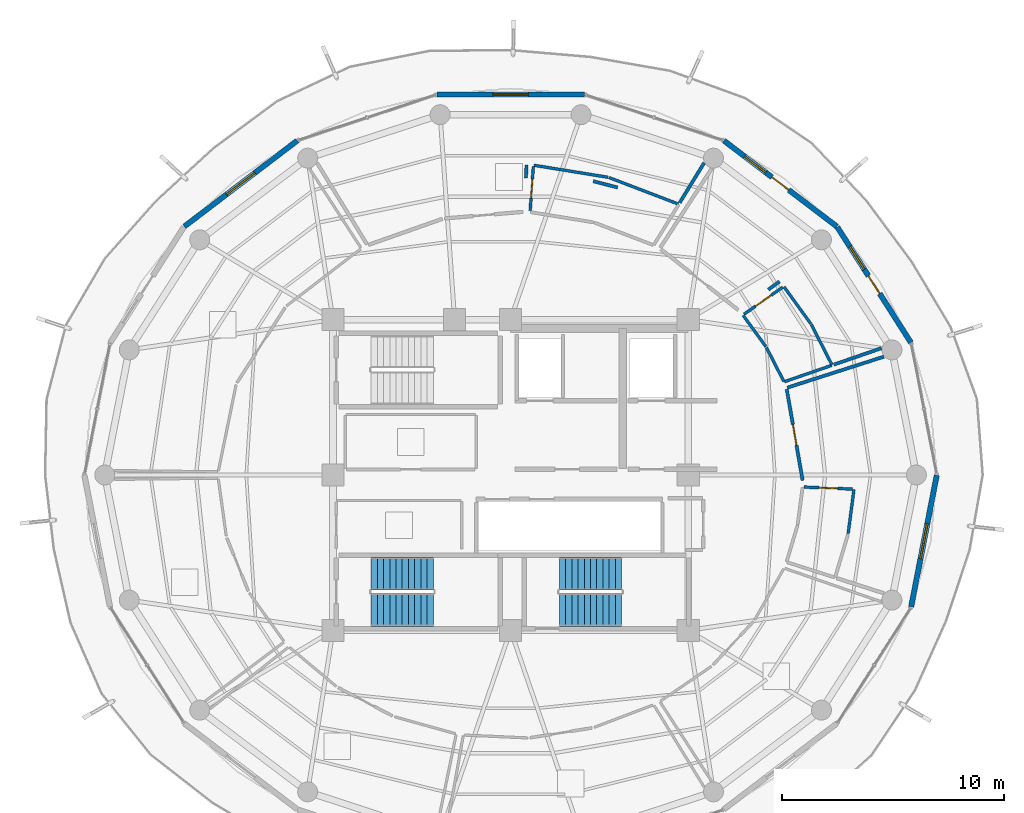
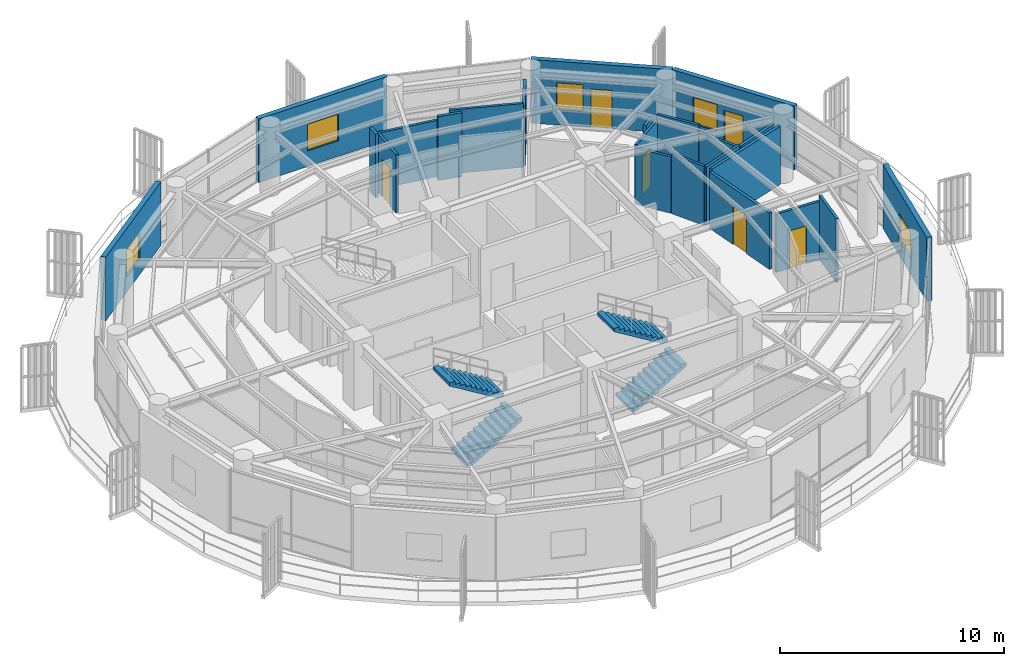
# One storey, part 17 of 22: 23 walls, 6 doors, 5 windows, 4 stair flights, 11 openings, 2 elements without a shape of their own.
"""IFC4 building model written with IfcOpenShell, lengths in metres."""

from ifc_helpers import new_model, si_unit, direction, frame, frame_2d, origin, place, context, subcontext, project, spatial, polyline, rectangle, outline, extrude, material, layer, layer_set, type_object, element, fill, aggregate, save


model = new_model("IFC4")

# Units and contexts
model_context = context("Model", 3, precision=1e-05, world=origin(), true_north=direction((0.0, 1.0)))
body_context = subcontext(model_context, "Body", "Model", "MODEL_VIEW")
ifc_project = project(units=[si_unit("LENGTHUNIT", "METRE"), si_unit("AREAUNIT", "SQUARE_METRE"), si_unit("VOLUMEUNIT", "CUBIC_METRE"), si_unit("PLANEANGLEUNIT", "RADIAN"), si_unit("MASSUNIT", "GRAM", prefix="KILO")], contexts=[model_context])

# Site, building, storey
site_placement = place(None, origin())
site = spatial("IfcSite", under=ifc_project, at=site_placement, CompositionType="ELEMENT")
building_placement = place(site_placement, origin())
building = spatial("IfcBuilding", under=site, at=building_placement, Name="Kelanora Arch Commons", CompositionType="ELEMENT")
storey_placement = place(building_placement, frame((0.0, 0.0, 259.949951171875)))
storey = spatial("IfcBuildingStorey", under=building, at=storey_placement, Name="L66", CompositionType="ELEMENT", Elevation=259.949951171875)

# Wall, opening, door
ifc_material_1 = material(Name="Autoclaved aerated concrete blockwork with fire plaster", Category="masonry")
ifc_layer_1 = layer(ifc_material_1, 0.14990234375)
ifc_layer_set_1 = layer_set([ifc_layer_1], Name="Autoclaved aerated concrete blockwork with fire plaster")
wall_type_1 = type_object("IfcWallType", Name="W-COMP-150", PredefinedType="PARTITIONING", material=ifc_layer_set_1)
wall_1_placement = place(storey_placement, frame((87.15576171875, 57.755126953125, 0.0), z_axis=(0.0, 0.0, 1.0), x_axis=(-0.171570913007, 0.985171772743, 0.0)))
wall_1 = element("IfcWall", 1, at=wall_1_placement, inside=storey, type_object=wall_type_1, Name="Co-Living Studio L66-08 Entry Partition", PredefinedType="PARTITIONING", context=body_context, shape_type="SweptSolid", body=[
    extrude(rectangle(XDim=4.170654296875, YDim=0.14990234375, at=frame_2d((2.08544921875, 0.0))), origin(), (0.0, 0.0, 1.0), 3.074951171875),
])
opening_1_placement = place(wall_1_placement, frame((1.610107421875, 0.0, 0.0)))
opening_1 = element("IfcOpeningElement", 2, at=opening_1_placement, cuts=wall_1, Name="Opening D-CLU1", PredefinedType="OPENING", context=body_context, shape_type="SweptSolid", body=[
    extrude(rectangle(XDim=0.949951171875, YDim=2.080078125, at=frame_2d((0.47509765625, 1.0400390625))), frame((0.0, 0.0849609375, 0.0), z_axis=(0.0, -1.0, 0.0), x_axis=(1.0, 0.0, 0.0)), (0.0, 0.0, 1.0), 0.169921875),
])
ifc_material_2 = material(Name="Solid-core acoustic timber cluster entry fire door", Category="wood")
door_type_1 = type_object("IfcDoorType", Name="D-CLU-95", OperationType="NOTDEFINED", PredefinedType="DOOR", material=ifc_material_2)
door_1_placement = place(opening_1_placement, origin())
door_1 = element("IfcDoor", 3, at=door_1_placement, inside=storey, type_object=door_type_1, Name="Co-Living Studio L66-08 Door", OperationType="SINGLE_SWING_LEFT", OverallHeight=2.080078125, OverallWidth=0.949951171875, PredefinedType="DOOR", context=body_context, shape_type="SweptSolid", body=[
    extrude(rectangle(XDim=0.949951171875, YDim=2.080078125, at=frame_2d((0.47509765625, 1.0400390625))), frame((0.0, 0.02490234375, 0.0), z_axis=(0.0, -1.0, 0.0), x_axis=(1.0, 0.0, 0.0)), (0.0, 0.0, 1.0), 0.050048828125),
])
fill(opening_1, door_1)

# Walls
wall_2_placement = place(storey_placement, frame((90.708984375, 63.71337890625, 0.0), z_axis=(0.0, 0.0, 1.0), x_axis=(-0.945132905081, -0.326686075207, 0.0)))
element("IfcWall", 4, at=wall_2_placement, inside=storey, type_object=wall_type_1, Name="Co-Living Studio L66-01 Enclosure Partition 5", PredefinedType="PARTITIONING", context=body_context, shape_type="SweptSolid", body=[
    extrude(rectangle(XDim=2.27197265625, YDim=0.14990234375, at=frame_2d((1.135986328125, 0.0))), origin(), (0.0, 0.0, 1.0), 3.074951171875),
])
wall_3_placement = place(storey_placement, frame((86.11279296875, 66.71435546875, 0.0), z_axis=(0.0, 0.0, 1.0), x_axis=(-0.808362057855, -0.588685640577, 0.0)))
element("IfcWall", 5, at=wall_3_placement, inside=storey, type_object=wall_type_1, Name="Co-Living Studio L66-01 Enclosure Partition 7", PredefinedType="PARTITIONING", context=body_context, shape_type="SweptSolid", body=[
    extrude(rectangle(XDim=0.621337890625, YDim=0.14990234375, at=frame_2d((0.310546875, 0.0))), origin(), (0.0, 0.0, 1.0), 3.175048828125),
])
wall_4_placement = place(storey_placement, frame((82.717041015625, 72.055908203125, 0.0), z_axis=(0.0, 0.0, 1.0), x_axis=(-0.52296822896, -0.852352175746, 0.0)))
element("IfcWall", 6, at=wall_4_placement, inside=storey, type_object=wall_type_1, Name="Co-Living Studio L66-02 Enclosure Partition 6", PredefinedType="PARTITIONING", context=body_context, shape_type="SweptSolid", body=[
    extrude(rectangle(XDim=2.099853515625, YDim=0.14990234375, at=frame_2d((1.0498046875, 0.0))), origin(), (0.0, 0.0, 1.0), 3.235107421875),
])
wall_5_placement = place(storey_placement, frame((78.8212890625, 70.950439453125, 0.0), z_axis=(0.0, 0.0, 1.0), x_axis=(-0.968144207413, 0.25039327797, 0.0)))
element("IfcWall", 7, at=wall_5_placement, inside=storey, type_object=wall_type_1, Name="Co-Living Studio L66-02 Enclosure Partition 7", PredefinedType="PARTITIONING", context=body_context, shape_type="SweptSolid", body=[
    extrude(rectangle(XDim=1.132080078125, YDim=0.14990234375, at=frame_2d((0.56591796875, 0.0))), origin(), (0.0, 0.0, 1.0), 3.47998046875),
])
wall_6_placement = place(storey_placement, frame((74.719970703125, 71.97119140625, 0.0), z_axis=(0.0, 0.0, 1.0), x_axis=(-0.050287101119, -0.998734803369, 0.0)))
element("IfcWall", 8, at=wall_6_placement, inside=storey, type_object=wall_type_1, Name="Co-Living Studio L66-02 Enclosure Partition 8", PredefinedType="PARTITIONING", context=body_context, shape_type="SweptSolid", body=[
    extrude(rectangle(XDim=0.59228515625, YDim=0.14990234375, at=frame_2d((0.296142578125, 0.0))), origin(), (0.0, 0.0, 1.0), 3.47998046875),
])
wall_7_placement = place(storey_placement, frame((86.468017578125, 61.935302734375, 0.0), z_axis=(0.0, 0.0, 1.0), x_axis=(0.95227750557, 0.305233602976, 0.0)))
element("IfcWall", 9, at=wall_7_placement, inside=storey, type_object=wall_type_1, Name="Co-Living Studio L66-08 Enclosure Partition 2", PredefinedType="PARTITIONING", context=body_context, shape_type="SweptSolid", body=[
    extrude(rectangle(XDim=4.5654296875, YDim=0.14990234375, at=frame_2d((2.28271484375, 0.0))), origin(), (0.0, 0.0, 1.0), 3.175048828125),
])

# Wall, openings, door, window
ifc_material_3 = material(Name="Precast concrete C40/50 upper-zone terracotta rainscreen", Category="masonry")
ifc_layer_2 = layer(ifc_material_3, 0.239990234375)
ifc_layer_set_2 = layer_set([ifc_layer_2], Name="Precast concrete C40/50 upper-zone terracotta rainscreen")
wall_type_2 = type_object("IfcWallType", Name="W-EXT-TC2", PredefinedType="SOLIDWALL", material=ifc_layer_set_2)
wall_8_placement = place(storey_placement, frame((92.033935546875, 63.9638671875, 0.0), z_axis=(0.0, 0.0, 1.0), x_axis=(-0.537271968456, 0.843409053728, 0.0)))
wall_8 = element("IfcWall", 10, at=wall_8_placement, inside=storey, type_object=wall_type_2, Name="Terracotta Exterior Wall L66-B01", PredefinedType="SOLIDWALL", context=body_context, shape_type="SweptSolid", body=[
    extrude(rectangle(XDim=6.175048828125, YDim=0.239990234375, at=frame_2d((3.08740234375, 0.0))), origin(), (0.0, 0.0, 1.0), 3.47509765625),
])
opening_2_placement = place(wall_8_placement, frame((2.613037109375, 0.0, 0.0)))
opening_2 = element("IfcOpeningElement", 11, at=opening_2_placement, cuts=wall_8, Name="Opening DB-01", PredefinedType="OPENING", context=body_context, shape_type="SweptSolid", body=[
    extrude(rectangle(XDim=0.949951171875, YDim=2.10009765625, at=frame_2d((0.47509765625, 1.050048828125))), frame((0.0, 0.1298828125, 0.0), z_axis=(0.0, -1.0, 0.0), x_axis=(1.0, 0.0, 0.0)), (0.0, 0.0, 1.0), 0.260009765625),
])
opening_3_placement = place(wall_8_placement, frame((3.9130859375, 0.0, 0.85009765625)))
opening_3 = element("IfcOpeningElement", 12, at=opening_3_placement, cuts=wall_8, Name="Opening WN-02", PredefinedType="OPENING", context=body_context, shape_type="SweptSolid", body=[
    extrude(rectangle(XDim=1.199951171875, YDim=1.449951171875, at=frame_2d((0.60009765625, 0.72509765625))), frame((0.0, 0.1298828125, 0.0), z_axis=(0.0, -1.0, 0.0), x_axis=(1.0, 0.0, 0.0)), (0.0, 0.0, 1.0), 0.260009765625),
])
ifc_material_4 = material(Name="Terracotta-aluminium thermally broken glazed balcony door", Category="masonry")
door_type_2 = type_object("IfcDoorType", Name="D-BAL-10", OperationType="NOTDEFINED", PredefinedType="DOOR", material=ifc_material_4)
door_2_placement = place(opening_2_placement, frame((0.949951171875, 0.0, 0.0), z_axis=(0.0, 0.0, 1.0), x_axis=(-1.0, 0.0, 0.0)))
door_2 = element("IfcDoor", 13, at=door_2_placement, inside=storey, type_object=door_type_2, Name="Wave Balcony Door L66-B01", OperationType="SINGLE_SWING_RIGHT", OverallHeight=2.10009765625, OverallWidth=0.949951171875, PredefinedType="DOOR", context=body_context, shape_type="SweptSolid", body=[
    extrude(rectangle(XDim=0.949951171875, YDim=2.10009765625, at=frame_2d((0.47509765625, 1.050048828125))), frame((0.0, 0.02490234375, 0.0), z_axis=(0.0, -1.0, 0.0), x_axis=(1.0, 0.0, 0.0)), (0.0, 0.0, 1.0), 0.050048828125),
])
fill(opening_2, door_2)
ifc_material_5 = material(Name="Terracotta-anodised aluminium frame with operable awning sash", Category="masonry")
window_type_1 = type_object("IfcWindowType", Name="WIN-CL-12", PartitioningType="SINGLE_PANEL", PredefinedType="WINDOW", material=ifc_material_5)
window_1_placement = place(opening_3_placement, origin())
window_1 = element("IfcWindow", 14, at=window_1_placement, inside=storey, type_object=window_type_1, Name="Co-Living Operable Window L66-B01", OverallHeight=1.449951171875, OverallWidth=1.199951171875, PartitioningType="SINGLE_PANEL", PredefinedType="WINDOW", context=body_context, shape_type="SweptSolid", body=[
    extrude(rectangle(XDim=1.199951171875, YDim=1.449951171875, at=frame_2d((0.60009765625, 0.72509765625))), frame((0.0, 0.030029296875, 0.0), z_axis=(0.0, -1.0, 0.0), x_axis=(1.0, 0.0, 0.0)), (0.0, 0.0, 1.0), 0.06005859375),
])
fill(opening_3, window_1)

wall_9_placement = place(storey_placement, frame((88.6962890625, 69.193603515625, 0.0), z_axis=(0.0, 0.0, 1.0), x_axis=(-0.796010444211, 0.605282886514, 0.0)))
wall_9 = element("IfcWall", 15, at=wall_9_placement, inside=storey, type_object=wall_type_2, Name="Terracotta Exterior Wall L66-B02", PredefinedType="SOLIDWALL", context=body_context, shape_type="SweptSolid", body=[
    extrude(rectangle(XDim=6.387451171875, YDim=0.239990234375, at=frame_2d((3.19384765625, 0.0))), origin(), (0.0, 0.0, 1.0), 3.47509765625),
])
opening_4_placement = place(wall_9_placement, frame((2.718994140625, 0.0, 0.0)))
opening_4 = element("IfcOpeningElement", 16, at=opening_4_placement, cuts=wall_9, Name="Opening DB-01", PredefinedType="OPENING", context=body_context, shape_type="SweptSolid", body=[
    extrude(rectangle(XDim=0.949951171875, YDim=2.10009765625, at=frame_2d((0.47509765625, 1.050048828125))), frame((0.0, 0.1298828125, 0.0), z_axis=(0.0, -1.0, 0.0), x_axis=(1.0, 0.0, 0.0)), (0.0, 0.0, 1.0), 0.260009765625),
])
opening_5_placement = place(wall_9_placement, frame((4.01904296875, 0.0, 0.85009765625)))
opening_5 = element("IfcOpeningElement", 17, at=opening_5_placement, cuts=wall_9, Name="Opening WN-02", PredefinedType="OPENING", context=body_context, shape_type="SweptSolid", body=[
    extrude(rectangle(XDim=1.199951171875, YDim=1.449951171875, at=frame_2d((0.60009765625, 0.72509765625))), frame((0.0, 0.1298828125, 0.0), z_axis=(0.0, -1.0, 0.0), x_axis=(1.0, 0.0, 0.0)), (0.0, 0.0, 1.0), 0.260009765625),
])
door_3_placement = place(opening_4_placement, frame((0.949951171875, 0.0, 0.0), z_axis=(0.0, 0.0, 1.0), x_axis=(-1.0, 0.0, 0.0)))
door_3 = element("IfcDoor", 18, at=door_3_placement, inside=storey, type_object=door_type_2, Name="Wave Balcony Door L66-B02", OperationType="SINGLE_SWING_LEFT", OverallHeight=2.10009765625, OverallWidth=0.949951171875, PredefinedType="DOOR", context=body_context, shape_type="SweptSolid", body=[
    extrude(rectangle(XDim=0.949951171875, YDim=2.10009765625, at=frame_2d((0.47509765625, 1.050048828125))), frame((0.0, 0.02490234375, 0.0), z_axis=(0.0, -1.0, 0.0), x_axis=(1.0, 0.0, 0.0)), (0.0, 0.0, 1.0), 0.050048828125),
])
fill(opening_4, door_3)
window_2_placement = place(opening_5_placement, origin())
window_2 = element("IfcWindow", 19, at=window_2_placement, inside=storey, type_object=window_type_1, Name="Co-Living Operable Window L66-B02", OverallHeight=1.449951171875, OverallWidth=1.199951171875, PartitioningType="SINGLE_PANEL", PredefinedType="WINDOW", context=body_context, shape_type="SweptSolid", body=[
    extrude(rectangle(XDim=1.199951171875, YDim=1.449951171875, at=frame_2d((0.60009765625, 0.72509765625))), frame((0.0, 0.030029296875, 0.0), z_axis=(0.0, -1.0, 0.0), x_axis=(1.0, 0.0, 0.0)), (0.0, 0.0, 1.0), 0.06005859375),
])
fill(opening_5, window_2)

# Wall, opening, window
wall_10_placement = place(storey_placement, frame((77.319091796875, 75.1357421875, 0.0), z_axis=(0.0, 0.0, 1.0), x_axis=(-1.0, 0.0, 0.0)))
wall_10 = element("IfcWall", 20, at=wall_10_placement, inside=storey, type_object=wall_type_2, Name="Terracotta Exterior Wall L66-B04", PredefinedType="SOLIDWALL", context=body_context, shape_type="SweptSolid", body=[
    extrude(rectangle(XDim=6.63818359375, YDim=0.239990234375, at=frame_2d((3.319091796875, 0.0))), origin(), (0.0, 0.0, 1.0), 3.47509765625),
])
opening_6_placement = place(wall_10_placement, frame((2.51904296875, 0.0, 0.85009765625)))
opening_6 = element("IfcOpeningElement", 21, at=opening_6_placement, cuts=wall_10, Name="Opening WN-01", PredefinedType="OPENING", context=body_context, shape_type="SweptSolid", body=[
    extrude(rectangle(XDim=1.60009765625, YDim=1.449951171875, at=frame_2d((0.800048828125, 0.72509765625))), frame((0.0, 0.1298828125, 0.0), z_axis=(0.0, -1.0, 0.0), x_axis=(1.0, 0.0, 0.0)), (0.0, 0.0, 1.0), 0.260009765625),
])
ifc_material_6 = material(Name="Terracotta-anodised aluminium frame with operable low-E glazing", Category="masonry")
window_type_2 = type_object("IfcWindowType", Name="WIN-CL-18", PartitioningType="DOUBLE_PANEL_VERTICAL", PredefinedType="WINDOW", material=ifc_material_6)
window_3_placement = place(opening_6_placement, origin())
window_3 = element("IfcWindow", 22, at=window_3_placement, inside=storey, type_object=window_type_2, Name="Co-Living Operable Window L66-B04", OverallHeight=1.449951171875, OverallWidth=1.60009765625, PartitioningType="SINGLE_PANEL", PredefinedType="WINDOW", context=body_context, shape_type="SweptSolid", body=[
    extrude(rectangle(XDim=1.60009765625, YDim=1.449951171875, at=frame_2d((0.800048828125, 0.72509765625))), frame((0.0, 0.030029296875, 0.0), z_axis=(0.0, -1.0, 0.0), x_axis=(1.0, 0.0, 0.0)), (0.0, 0.0, 1.0), 0.06005859375),
])
fill(opening_6, window_3)

wall_11_placement = place(storey_placement, frame((64.38818359375, 73.059814453125, 0.0), z_axis=(0.0, 0.0, 1.0), x_axis=(-0.796010444211, -0.605282886514, 0.0)))
wall_11 = element("IfcWall", 23, at=wall_11_placement, inside=storey, type_object=wall_type_2, Name="Terracotta Exterior Wall L66-B06", PredefinedType="SOLIDWALL", context=body_context, shape_type="SweptSolid", body=[
    extrude(rectangle(XDim=6.387451171875, YDim=0.239990234375, at=frame_2d((3.19384765625, 0.0))), origin(), (0.0, 0.0, 1.0), 3.47509765625),
])
opening_7_placement = place(wall_11_placement, frame((2.39404296875, 0.0, 0.85009765625)))
opening_7 = element("IfcOpeningElement", 24, at=opening_7_placement, cuts=wall_11, Name="Opening WN-01", PredefinedType="OPENING", context=body_context, shape_type="SweptSolid", body=[
    extrude(rectangle(XDim=1.60009765625, YDim=1.449951171875, at=frame_2d((0.800048828125, 0.72509765625))), frame((0.0, 0.1298828125, 0.0), z_axis=(0.0, -1.0, 0.0), x_axis=(1.0, 0.0, 0.0)), (0.0, 0.0, 1.0), 0.260009765625),
])
window_4_placement = place(opening_7_placement, origin())
window_4 = element("IfcWindow", 25, at=window_4_placement, inside=storey, type_object=window_type_2, Name="Co-Living Operable Window L66-B06", OverallHeight=1.449951171875, OverallWidth=1.60009765625, PartitioningType="SINGLE_PANEL", PredefinedType="WINDOW", context=body_context, shape_type="SweptSolid", body=[
    extrude(rectangle(XDim=1.60009765625, YDim=1.449951171875, at=frame_2d((0.800048828125, 0.72509765625))), frame((0.0, 0.030029296875, 0.0), z_axis=(0.0, -1.0, 0.0), x_axis=(1.0, 0.0, 0.0)), (0.0, 0.0, 1.0), 0.06005859375),
])
fill(opening_7, window_4)

wall_12_placement = place(storey_placement, frame((92.044921875, 52.0634765625, 0.0), z_axis=(0.0, 0.0, 1.0), x_axis=(0.190969309115, 0.981596008028, 0.0)))
wall_12 = element("IfcWall", 26, at=wall_12_placement, inside=storey, type_object=wall_type_2, Name="Terracotta Exterior Wall L66-B17", PredefinedType="SOLIDWALL", context=body_context, shape_type="SweptSolid", body=[
    extrude(rectangle(XDim=6.032958984375, YDim=0.239990234375, at=frame_2d((3.0166015625, 0.0))), origin(), (0.0, 0.0, 1.0), 3.47509765625),
])
opening_8_placement = place(wall_12_placement, frame((2.216064453125, 0.0, 0.85009765625)))
opening_8 = element("IfcOpeningElement", 27, at=opening_8_placement, cuts=wall_12, Name="Opening WN-01", PredefinedType="OPENING", context=body_context, shape_type="SweptSolid", body=[
    extrude(rectangle(XDim=1.60009765625, YDim=1.449951171875, at=frame_2d((0.800048828125, 0.72509765625))), frame((0.0, 0.1298828125, 0.0), z_axis=(0.0, -1.0, 0.0), x_axis=(1.0, 0.0, 0.0)), (0.0, 0.0, 1.0), 0.260009765625),
])
window_5_placement = place(opening_8_placement, origin())
window_5 = element("IfcWindow", 28, at=window_5_placement, inside=storey, type_object=window_type_2, Name="Co-Living Operable Window L66-B17", OverallHeight=1.449951171875, OverallWidth=1.60009765625, PartitioningType="SINGLE_PANEL", PredefinedType="WINDOW", context=body_context, shape_type="SweptSolid", body=[
    extrude(rectangle(XDim=1.60009765625, YDim=1.449951171875, at=frame_2d((0.800048828125, 0.72509765625))), frame((0.0, 0.030029296875, 0.0), z_axis=(0.0, -1.0, 0.0), x_axis=(1.0, 0.0, 0.0)), (0.0, 0.0, 1.0), 0.06005859375),
])
fill(opening_8, window_5)

# Wall, opening, door
ifc_material_7 = material(Name="Moisture-resistant fire-rated cement-board plumbing wall")
ifc_layer_3 = layer(ifc_material_7, 0.1298828125)
ifc_layer_set_3 = layer_set([ifc_layer_3], Name="Moisture-resistant fire-rated cement-board plumbing wall")
wall_type_3 = type_object("IfcWallType", Name="W-WET-120", PredefinedType="PLUMBINGWALL", material=ifc_layer_set_3)
wall_13_placement = place(storey_placement, frame((84.51416015625, 65.241455078125, 0.0), z_axis=(0.0, 0.0, 1.0), x_axis=(0.819922458219, 0.572474595513, 0.0)))
wall_13 = element("IfcWall", 29, at=wall_13_placement, inside=storey, type_object=wall_type_3, Name="En-Suite Shower WC L66-01 Entry Partition", PredefinedType="PLUMBINGWALL", context=body_context, shape_type="SweptSolid", body=[
    extrude(rectangle(XDim=2.124267578125, YDim=0.1298828125, at=frame_2d((1.06201171875, 0.0))), origin(), (0.0, 0.0, 1.0), 3.175048828125),
])
opening_9_placement = place(wall_13_placement, frame((0.632080078125, 0.0, 0.0)))
opening_9 = element("IfcOpeningElement", 30, at=opening_9_placement, cuts=wall_13, Name="Opening D-BT1", PredefinedType="OPENING", context=body_context, shape_type="SweptSolid", body=[
    extrude(rectangle(XDim=0.860107421875, YDim=2.050048828125, at=frame_2d((0.43017578125, 1.02490234375))), frame((0.0, 0.074951171875, 0.0), z_axis=(0.0, -1.0, 0.0), x_axis=(1.0, 0.0, 0.0)), (0.0, 0.0, 1.0), 0.14990234375),
])
ifc_material_8 = material(Name="Moisture-sealed fire-rated accessible bathroom door")
door_type_3 = type_object("IfcDoorType", Name="D-BATH-85", OperationType="NOTDEFINED", PredefinedType="DOOR", material=ifc_material_8)
door_4_placement = place(opening_9_placement, origin())
door_4 = element("IfcDoor", 31, at=door_4_placement, inside=storey, type_object=door_type_3, Name="En-Suite Shower WC L66-01 Door", OperationType="SINGLE_SWING_LEFT", OverallHeight=2.050048828125, OverallWidth=0.860107421875, PredefinedType="DOOR", context=body_context, shape_type="SweptSolid", body=[
    extrude(rectangle(XDim=0.860107421875, YDim=2.050048828125, at=frame_2d((0.43017578125, 1.02490234375))), frame((0.0, 0.02490234375, 0.0), z_axis=(0.0, -1.0, 0.0), x_axis=(1.0, 0.0, 0.0)), (0.0, 0.0, 1.0), 0.050048828125),
])
fill(opening_9, door_4)

wall_14_placement = place(storey_placement, frame((74.88037109375, 69.90380859375, 0.0), z_axis=(0.0, 0.0, 1.0), x_axis=(0.07323666047, 0.997314590068, 0.0)))
wall_14 = element("IfcWall", 32, at=wall_14_placement, inside=storey, type_object=wall_type_3, Name="En-Suite Shower WC L66-02 Entry Partition", PredefinedType="PLUMBINGWALL", context=body_context, shape_type="SweptSolid", body=[
    extrude(rectangle(XDim=1.996826171875, YDim=0.1298828125, at=frame_2d((0.99853515625, 0.0))), origin(), (0.0, 0.0, 1.0), 3.175048828125),
])
opening_10_placement = place(wall_14_placement, frame((0.568115234375, 0.0, 0.0)))
opening_10 = element("IfcOpeningElement", 33, at=opening_10_placement, cuts=wall_14, Name="Opening D-BT1", PredefinedType="OPENING", context=body_context, shape_type="SweptSolid", body=[
    extrude(rectangle(XDim=0.860107421875, YDim=2.050048828125, at=frame_2d((0.43017578125, 1.02490234375))), frame((0.0, 0.074951171875, 0.0), z_axis=(0.0, -1.0, 0.0), x_axis=(1.0, 0.0, 0.0)), (0.0, 0.0, 1.0), 0.14990234375),
])
door_5_placement = place(opening_10_placement, origin())
door_5 = element("IfcDoor", 34, at=door_5_placement, inside=storey, type_object=door_type_3, Name="En-Suite Shower WC L66-02 Door", OperationType="SINGLE_SWING_LEFT", OverallHeight=2.050048828125, OverallWidth=0.860107421875, PredefinedType="DOOR", context=body_context, shape_type="SweptSolid", body=[
    extrude(rectangle(XDim=0.860107421875, YDim=2.050048828125, at=frame_2d((0.43017578125, 1.02490234375))), frame((0.0, 0.02490234375, 0.0), z_axis=(0.0, -1.0, 0.0), x_axis=(1.0, 0.0, 0.0)), (0.0, 0.0, 1.0), 0.050048828125),
])
fill(opening_10, door_5)

wall_15_placement = place(storey_placement, frame((87.2158203125, 57.45556640625, 0.0), z_axis=(0.0, 0.0, 1.0), x_axis=(0.999139994921, -0.041464087462, 0.0)))
wall_15 = element("IfcWall", 35, at=wall_15_placement, inside=storey, type_object=wall_type_3, Name="En-Suite Shower WC L66-08 Entry Partition", PredefinedType="PLUMBINGWALL", context=body_context, shape_type="SweptSolid", body=[
    extrude(rectangle(XDim=2.1962890625, YDim=0.1298828125, at=frame_2d((1.09814453125, 0.0))), origin(), (0.0, 0.0, 1.0), 3.175048828125),
])
opening_11_placement = place(wall_15_placement, frame((0.66796875, 0.0, 0.0)))
opening_11 = element("IfcOpeningElement", 36, at=opening_11_placement, cuts=wall_15, Name="Opening D-BT1", PredefinedType="OPENING", context=body_context, shape_type="SweptSolid", body=[
    extrude(rectangle(XDim=0.860107421875, YDim=2.050048828125, at=frame_2d((0.43017578125, 1.02490234375))), frame((0.0, 0.074951171875, 0.0), z_axis=(0.0, -1.0, 0.0), x_axis=(1.0, 0.0, 0.0)), (0.0, 0.0, 1.0), 0.14990234375),
])
door_6_placement = place(opening_11_placement, origin())
door_6 = element("IfcDoor", 37, at=door_6_placement, inside=storey, type_object=door_type_3, Name="En-Suite Shower WC L66-08 Door", OperationType="SINGLE_SWING_RIGHT", OverallHeight=2.050048828125, OverallWidth=0.860107421875, PredefinedType="DOOR", context=body_context, shape_type="SweptSolid", body=[
    extrude(rectangle(XDim=0.860107421875, YDim=2.050048828125, at=frame_2d((0.43017578125, 1.02490234375))), frame((0.0, 0.02490234375, 0.0), z_axis=(0.0, -1.0, 0.0), x_axis=(1.0, 0.0, 0.0)), (0.0, 0.0, 1.0), 0.050048828125),
])
fill(opening_11, door_6)

# Walls
wall_16_placement = place(storey_placement, frame((86.310791015625, 62.2138671875, 0.0), z_axis=(0.0, 0.0, 1.0), x_axis=(-0.457623641393, 0.889145996357, 0.0)))
element("IfcWall", 38, at=wall_16_placement, inside=storey, type_object=wall_type_3, Name="En-Suite Shower WC L66-01 Enclosure Partition 1", PredefinedType="PLUMBINGWALL", context=body_context, shape_type="SweptSolid", body=[
    extrude(rectangle(XDim=1.720947265625, YDim=0.1298828125, at=frame_2d((0.8603515625, 0.0))), origin(), (0.0, 0.0, 1.0), 3.235107421875),
])
wall_17_placement = place(storey_placement, frame((85.502197265625, 63.7783203125, 0.0), z_axis=(0.0, 0.0, 1.0), x_axis=(-0.587439614451, 0.809268002193, 0.0)))
element("IfcWall", 39, at=wall_17_placement, inside=storey, type_object=wall_type_3, Name="En-Suite Shower WC L66-01 Enclosure Partition 2", PredefinedType="PLUMBINGWALL", context=body_context, shape_type="SweptSolid", body=[
    extrude(rectangle(XDim=1.74560546875, YDim=0.1298828125, at=frame_2d((0.872802734375, 0.0))), origin(), (0.0, 0.0, 1.0), 3.074951171875),
])
wall_18_placement = place(storey_placement, frame((86.316650390625, 66.475830078125, 0.0), z_axis=(0.0, 0.0, 1.0), x_axis=(0.587023823839, -0.809569657438, 0.0)))
element("IfcWall", 40, at=wall_18_placement, inside=storey, type_object=wall_type_3, Name="En-Suite Shower WC L66-01 Enclosure Partition 4", PredefinedType="PLUMBINGWALL", context=body_context, shape_type="SweptSolid", body=[
    extrude(rectangle(XDim=2.0625, YDim=0.1298828125, at=frame_2d((1.03125, 0.0))), origin(), (0.0, 0.0, 1.0), 3.47998046875),
])
wall_19_placement = place(storey_placement, frame((87.548095703125, 64.772216796875, 0.0), z_axis=(0.0, 0.0, 1.0), x_axis=(0.456453063126, -0.889747492923, 0.0)))
element("IfcWall", 41, at=wall_19_placement, inside=storey, type_object=wall_type_3, Name="En-Suite Shower WC L66-01 Enclosure Partition 5", PredefinedType="PLUMBINGWALL", context=body_context, shape_type="SweptSolid", body=[
    extrude(rectangle(XDim=2.03466796875, YDim=0.1298828125, at=frame_2d((1.017333984375, 0.0))), origin(), (0.0, 0.0, 1.0), 3.074951171875),
])
wall_20_placement = place(storey_placement, frame((88.467041015625, 62.9375, 0.0), z_axis=(0.0, 0.0, 1.0), x_axis=(-0.94520115701, -0.326488549244, 0.0)))
element("IfcWall", 42, at=wall_20_placement, inside=storey, type_object=wall_type_3, Name="En-Suite Shower WC L66-01 Enclosure Partition 6", PredefinedType="PLUMBINGWALL", context=body_context, shape_type="SweptSolid", body=[
    extrude(rectangle(XDim=2.25146484375, YDim=0.1298828125, at=frame_2d((1.125732421875, 0.0))), origin(), (0.0, 0.0, 1.0), 3.175048828125),
])
wall_21_placement = place(storey_placement, frame((75.05078125, 71.951904296875, 0.0), z_axis=(0.0, 0.0, 1.0), x_axis=(0.98707312965, -0.160270511081, 0.0)))
element("IfcWall", 43, at=wall_21_placement, inside=storey, type_object=wall_type_3, Name="En-Suite Shower WC L66-02 Enclosure Partition 4", PredefinedType="PLUMBINGWALL", context=body_context, shape_type="SweptSolid", body=[
    extrude(rectangle(XDim=3.38623046875, YDim=0.1298828125, at=frame_2d((1.693115234375, 0.0))), origin(), (0.0, 0.0, 1.0), 3.074951171875),
])
wall_22_placement = place(storey_placement, frame((78.431640625, 71.39892578125, 0.0), z_axis=(0.0, 0.0, 1.0), x_axis=(0.934194091529, -0.356765187978, 0.0)))
element("IfcWall", 44, at=wall_22_placement, inside=storey, type_object=wall_type_3, Name="En-Suite Shower WC L66-02 Enclosure Partition 5", PredefinedType="PLUMBINGWALL", context=body_context, shape_type="SweptSolid", body=[
    extrude(rectangle(XDim=3.34912109375, YDim=0.1298828125, at=frame_2d((1.674560546875, 0.0))), origin(), (0.0, 0.0, 1.0), 3.47998046875),
])
wall_23_placement = place(storey_placement, frame((89.46728515625, 57.34228515625, 0.0), z_axis=(0.0, 0.0, 1.0), x_axis=(-0.130467152696, -0.991452632286, 0.0)))
element("IfcWall", 45, at=wall_23_placement, inside=storey, type_object=wall_type_3, Name="En-Suite Shower WC L66-08 Enclosure Partition 4", PredefinedType="PLUMBINGWALL", context=body_context, shape_type="SweptSolid", body=[
    extrude(rectangle(XDim=1.99853515625, YDim=0.1298828125, at=frame_2d((0.999267578125, 0.0))), origin(), (0.0, 0.0, 1.0), 3.47998046875),
])

# Stair, stair flights
ifc_material_9 = material(Name="Concrete C40/50", Category="concrete")
stair_type = type_object("IfcStairType", Name="STR-DL-375", PredefinedType="HALF_TURN_STAIR", material=ifc_material_9)
stair_1_placement = place(storey_placement, origin())
stair_1 = element("IfcStair", 46, at=stair_1_placement, inside=storey, type_object=stair_type, Name="L66 ST-T2", PredefinedType="HALF_TURN_STAIR")
stair_flight_type = type_object("IfcStairFlightType", Name="FLT-DL-375", PredefinedType="STRAIGHT", material=ifc_material_9)
stair_flight_1_placement = place(storey_placement, frame((76.199951171875, 51.919921875, 0.0), z_axis=(0.0, 0.0, 1.0), x_axis=(1.0, 0.0, 0.0)))
stair_flight_1 = element("IfcStairFlight", 47, at=stair_flight_1_placement, type_object=stair_flight_type, Name="ST-T2 flight 1", NumberOfRisers=11, NumberOfTreads=10, PredefinedType="STRAIGHT", RiserHeight=0.170454545, TreadLength=0.28, context=body_context, shape_type="SweptSolid", body=[
    extrude(outline(polyline([(0.0, 0.0), (0.0, 0.17041015625), (0.280029296875, 0.17041015625), (0.280029296875, 0.3408203125), (0.56005859375, 0.3408203125), (0.56005859375, 0.511474609375), (0.840087890625, 0.511474609375), (0.840087890625, 0.681884765625), (1.1201171875, 0.681884765625), (1.1201171875, 0.852294921875), (1.39990234375, 0.852294921875), (1.39990234375, 1.022705078125), (1.679931640625, 1.022705078125), (1.679931640625, 1.193115234375), (1.9599609375, 1.193115234375), (1.9599609375, 1.363525390625), (2.239990234375, 1.363525390625), (2.239990234375, 1.5341796875), (2.52001953125, 1.5341796875), (2.52001953125, 1.70458984375), (2.800048828125, 1.70458984375), (2.800048828125, 1.875), (2.800048828125, 1.529052734375), (0.288330078125, 0.0), (0.0, 0.0)])), frame((0.0, 0.739990234375, 0.0), z_axis=(0.0, -1.0, 0.0), x_axis=(1.0, 0.0, 0.0)), (0.0, 0.0, 1.0), 1.47998046875),
])
stair_flight_2_placement = place(storey_placement, frame((79.0, 53.550048828125, 1.875), z_axis=(0.0, 0.0, 1.0), x_axis=(-1.0, 0.0, 0.0)))
stair_flight_2 = element("IfcStairFlight", 48, at=stair_flight_2_placement, type_object=stair_flight_type, Name="ST-T2 flight 2", NumberOfRisers=11, NumberOfTreads=10, PredefinedType="STRAIGHT", RiserHeight=0.170454545, TreadLength=0.28, context=body_context, shape_type="SweptSolid", body=[
    extrude(outline(polyline([(0.0, 0.0), (0.0, 0.17041015625), (0.280029296875, 0.17041015625), (0.280029296875, 0.3408203125), (0.56005859375, 0.3408203125), (0.56005859375, 0.511474609375), (0.840087890625, 0.511474609375), (0.840087890625, 0.681884765625), (1.1201171875, 0.681884765625), (1.1201171875, 0.852294921875), (1.39990234375, 0.852294921875), (1.39990234375, 1.022705078125), (1.679931640625, 1.022705078125), (1.679931640625, 1.193115234375), (1.9599609375, 1.193115234375), (1.9599609375, 1.363525390625), (2.239990234375, 1.363525390625), (2.239990234375, 1.5341796875), (2.52001953125, 1.5341796875), (2.52001953125, 1.70458984375), (2.800048828125, 1.70458984375), (2.800048828125, 1.875), (2.800048828125, 1.529052734375), (0.288330078125, 0.0), (0.0, 0.0)])), frame((0.0, 0.739990234375, 0.0), z_axis=(0.0, -1.0, 0.0), x_axis=(1.0, 0.0, 0.0)), (0.0, 0.0, 1.0), 1.47998046875),
])
aggregate(stair_1, [stair_flight_1, stair_flight_2])

stair_2_placement = place(storey_placement, origin())
stair_2 = element("IfcStair", 49, at=stair_2_placement, inside=storey, type_object=stair_type, Name="L66 ST-T3", PredefinedType="HALF_TURN_STAIR")
stair_flight_3_placement = place(storey_placement, frame((67.719970703125, 51.919921875, 0.0), z_axis=(0.0, 0.0, 1.0), x_axis=(1.0, 0.0, 0.0)))
stair_flight_3 = element("IfcStairFlight", 50, at=stair_flight_3_placement, type_object=stair_flight_type, Name="ST-T3 flight 1", NumberOfRisers=11, NumberOfTreads=10, PredefinedType="STRAIGHT", RiserHeight=0.170454545, TreadLength=0.28, context=body_context, shape_type="SweptSolid", body=[
    extrude(outline(polyline([(0.0, 0.0), (0.0, 0.17041015625), (0.280029296875, 0.17041015625), (0.280029296875, 0.3408203125), (0.56005859375, 0.3408203125), (0.56005859375, 0.511474609375), (0.840087890625, 0.511474609375), (0.840087890625, 0.681884765625), (1.1201171875, 0.681884765625), (1.1201171875, 0.852294921875), (1.39990234375, 0.852294921875), (1.39990234375, 1.022705078125), (1.679931640625, 1.022705078125), (1.679931640625, 1.193115234375), (1.9599609375, 1.193115234375), (1.9599609375, 1.363525390625), (2.239990234375, 1.363525390625), (2.239990234375, 1.5341796875), (2.52001953125, 1.5341796875), (2.52001953125, 1.70458984375), (2.800048828125, 1.70458984375), (2.800048828125, 1.875), (2.800048828125, 1.529052734375), (0.288330078125, 0.0), (0.0, 0.0)])), frame((0.0, 0.739990234375, 0.0), z_axis=(0.0, -1.0, 0.0), x_axis=(1.0, 0.0, 0.0)), (0.0, 0.0, 1.0), 1.47998046875),
])
stair_flight_4_placement = place(storey_placement, frame((70.52001953125, 53.550048828125, 1.875), z_axis=(0.0, 0.0, 1.0), x_axis=(-1.0, 0.0, 0.0)))
stair_flight_4 = element("IfcStairFlight", 51, at=stair_flight_4_placement, type_object=stair_flight_type, Name="ST-T3 flight 2", NumberOfRisers=11, NumberOfTreads=10, PredefinedType="STRAIGHT", RiserHeight=0.170454545, TreadLength=0.28, context=body_context, shape_type="SweptSolid", body=[
    extrude(outline(polyline([(0.0, 0.0), (0.0, 0.17041015625), (0.280029296875, 0.17041015625), (0.280029296875, 0.3408203125), (0.56005859375, 0.3408203125), (0.56005859375, 0.511474609375), (0.840087890625, 0.511474609375), (0.840087890625, 0.681884765625), (1.1201171875, 0.681884765625), (1.1201171875, 0.852294921875), (1.39990234375, 0.852294921875), (1.39990234375, 1.022705078125), (1.679931640625, 1.022705078125), (1.679931640625, 1.193115234375), (1.9599609375, 1.193115234375), (1.9599609375, 1.363525390625), (2.239990234375, 1.363525390625), (2.239990234375, 1.5341796875), (2.52001953125, 1.5341796875), (2.52001953125, 1.70458984375), (2.800048828125, 1.70458984375), (2.800048828125, 1.875), (2.800048828125, 1.529052734375), (0.288330078125, 0.0), (0.0, 0.0)])), frame((0.0, 0.739990234375, 0.0), z_axis=(0.0, -1.0, 0.0), x_axis=(1.0, 0.0, 0.0)), (0.0, 0.0, 1.0), 1.47998046875),
])
aggregate(stair_2, [stair_flight_3, stair_flight_4])

save(model, "model.ifc")
